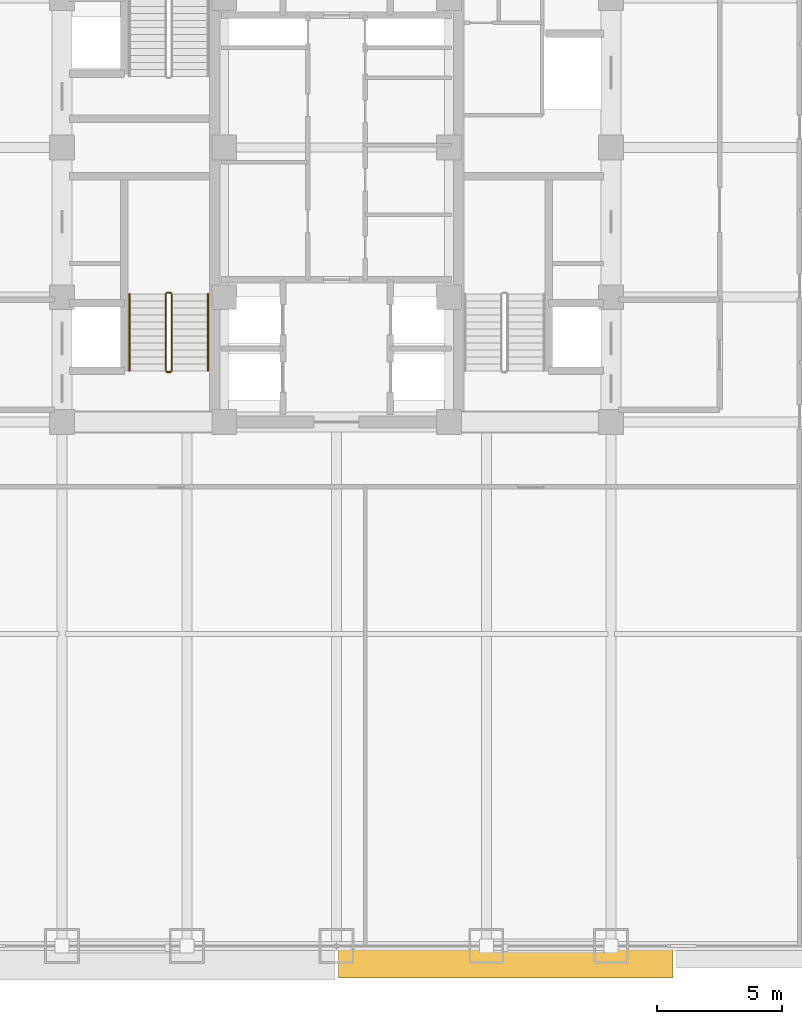
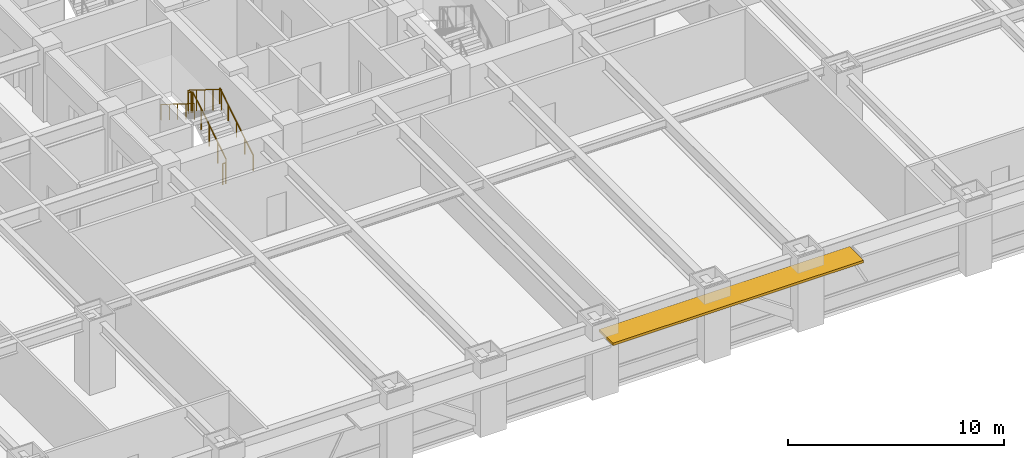
# One storey, part 29 of 32: 6 railings, 1 shading device.
"""IFC4 building model written with IfcOpenShell, lengths in metres."""

from ifc_helpers import new_model, si_unit, direction, frame, origin, origin_2d, place, context, subcontext, project, spatial, rectangle, circle, extrude, source, transform, mapped, material, layer, layer_set, type_object, element, save


model = new_model("IFC4")

# Units and contexts
model_context = context("Model", 3, precision=1e-05, world=origin(), true_north=direction((0.0, 1.0)))
body_context = subcontext(model_context, "Body", "Model", "MODEL_VIEW")
ifc_project = project(units=[si_unit("LENGTHUNIT", "METRE"), si_unit("AREAUNIT", "SQUARE_METRE"), si_unit("VOLUMEUNIT", "CUBIC_METRE"), si_unit("PLANEANGLEUNIT", "RADIAN"), si_unit("MASSUNIT", "GRAM", prefix="KILO")], contexts=[model_context])

# Site, building, storey
site_placement = place(None, origin())
site = spatial("IfcSite", under=ifc_project, at=site_placement, CompositionType="ELEMENT")
building_placement = place(site_placement, origin())
building = spatial("IfcBuilding", under=site, at=building_placement, Name="Khorayat Bourse Tower", CompositionType="ELEMENT")
storey_placement = place(building_placement, frame((0.0, 0.0, 74.60009765625)))
storey = spatial("IfcBuildingStorey", under=building, at=storey_placement, Name="L16", CompositionType="ELEMENT", Elevation=74.60009765625)

# Shading device
ifc_material_1 = material(Name="Precast concrete C45/55", Category="concrete")
ifc_layer = layer(ifc_material_1, 0.139892578125)
ifc_layer_set = layer_set([ifc_layer], Name="Precast concrete C45/55")
shading_device_type = type_object("IfcShadingDeviceType", Name="SHD-WAVE-TRAY-B", PredefinedType="USERDEFINED", material=ifc_layer_set)
shared_shape_1 = source(origin(), body_context, "Body", "SweptSolid", [
    extrude(rectangle(XDim=13.409912109375, YDim=1.295166015625, at=origin_2d()), origin(), (0.0, 0.0, 1.0), 0.139892578125),
])
shading_device_placement = place(storey_placement, frame((6.77490234375, -32.62744140625, 3.18994140625), z_axis=(0.0, 0.0, 1.0), x_axis=(1.0, 0.0, 0.0)))
element("IfcShadingDevice", 1, at=shading_device_placement, inside=storey, type_object=shading_device_type, Name="L16 Sinusoidal Wave Sunshade Tray S-3", ObjectType="SUNSHADE", PredefinedType="USERDEFINED", context=body_context, shape_type="MappedRepresentation", body=[
    mapped(shared_shape_1, transform((0.0, 0.0, 0.0), scale=1.0)),
])

# Railings
ifc_material_2 = material(Name="Powder-coated steel balustrade", Category="steel")
railing_type_1 = type_object("IfcRailingType", Name="RLG-GUARD-1200", PredefinedType="GUARDRAIL", material=ifc_material_2)
shared_shape_2 = source(origin(), body_context, "Body", "SweptSolid", [
    extrude(circle(Radius=0.02392578125, at=origin_2d()), frame((0.0, 0.0, 1.17578125), z_axis=(-1.0, 0.0, 0.0), x_axis=(0.0, -1.0, 0.0)), (0.0, 0.0, 1.0), 0.150146484375),
    extrude(circle(Radius=0.02099609375, at=origin_2d()), origin(), (0.0, 0.0, 1.0), 1.15185546875),
    extrude(circle(Radius=0.02099609375, at=origin_2d()), frame((-0.150146484375, 0.0, 0.0)), (0.0, 0.0, 1.0), 1.15185546875),
])
for number, where, name in (
    (2, (-6.64990234375, -5.820068359375, 2.099853515625), "L16 ST-1 stair guard 2"),
    (3, (-6.64990234375, -9.0, 0.0), "L16 ST-1 stair guard 4"),
):
    element("IfcRailing", number, at=place(storey_placement, frame(where)), inside=storey, type_object=railing_type_1, Name=name, PredefinedType="GUARDRAIL", context=body_context, shape_type="MappedRepresentation", body=[
        mapped(shared_shape_2, transform((0.0, 0.0, 0.0), scale=1.0)),
    ])
shared_shape_3 = source(origin(), body_context, "Body", "SweptSolid", [
    extrude(circle(Radius=0.02392578125, at=origin_2d()), frame((0.0, 0.0, 1.17578125), z_axis=(0.0, 0.847979421464, 0.530029150871), x_axis=(-1.0, 0.0, 0.0)), (0.0, 0.0, 1.0), 3.632080078125),
    extrude(circle(Radius=0.02099609375, at=origin_2d()), origin(), (0.0, 0.0, 1.0), 1.15185546875),
    extrude(circle(Radius=0.02099609375, at=origin_2d()), frame((0.0, 0.77001953125, 0.481201171875)), (0.0, 0.0, 1.0), 1.15185546875),
    extrude(circle(Radius=0.02099609375, at=origin_2d()), frame((0.0, 1.5400390625, 0.96240234375)), (0.0, 0.0, 1.0), 1.15185546875),
    extrude(circle(Radius=0.02099609375, at=origin_2d()), frame((0.0, 2.309814453125, 1.44384765625)), (0.0, 0.0, 1.0), 1.15185546875),
    extrude(circle(Radius=0.02099609375, at=origin_2d()), frame((0.0, 3.079833984375, 1.925048828125)), (0.0, 0.0, 1.0), 1.15185546875),
])
railing_1_placement = place(storey_placement, frame((-6.60009765625, -8.949951171875, 0.1748046875)))
element("IfcRailing", 4, at=railing_1_placement, inside=storey, type_object=railing_type_1, Name="L16 ST-1 stair guard 1", PredefinedType="GUARDRAIL", context=body_context, shape_type="MappedRepresentation", body=[
    mapped(shared_shape_3, transform((0.0, 0.0, 0.0), scale=1.0)),
])
shared_shape_4 = source(origin(), body_context, "Body", "SweptSolid", [
    extrude(circle(Radius=0.02392578125, at=origin_2d()), frame((0.0, 0.0, 1.17578125), z_axis=(0.0, -0.847979421464, 0.530029150871), x_axis=(1.0, 0.0, 0.0)), (0.0, 0.0, 1.0), 3.632080078125),
    extrude(circle(Radius=0.02099609375, at=origin_2d()), origin(), (0.0, 0.0, 1.0), 1.15185546875),
    extrude(circle(Radius=0.02099609375, at=origin_2d()), frame((0.0, -0.77001953125, 0.481201171875)), (0.0, 0.0, 1.0), 1.15185546875),
    extrude(circle(Radius=0.02099609375, at=origin_2d()), frame((0.0, -1.5400390625, 0.96240234375)), (0.0, 0.0, 1.0), 1.15185546875),
    extrude(circle(Radius=0.02099609375, at=origin_2d()), frame((0.0, -2.309814453125, 1.44384765625)), (0.0, 0.0, 1.0), 1.15185546875),
    extrude(circle(Radius=0.02099609375, at=origin_2d()), frame((0.0, -3.079833984375, 1.925048828125)), (0.0, 0.0, 1.0), 1.15185546875),
])
railing_2_placement = place(storey_placement, frame((-6.85009765625, -5.8701171875, 2.27490234375)))
element("IfcRailing", 5, at=railing_2_placement, inside=storey, type_object=railing_type_1, Name="L16 ST-1 stair guard 3", PredefinedType="GUARDRAIL", context=body_context, shape_type="MappedRepresentation", body=[
    mapped(shared_shape_4, transform((0.0, 0.0, 0.0), scale=1.0)),
])
ifc_material_3 = material(Name="Brushed bronze stainless-steel handrail", Category="steel")
railing_type_2 = type_object("IfcRailingType", Name="RLG-HAND-900", PredefinedType="HANDRAIL", material=ifc_material_3)
shared_shape_5 = source(origin(), body_context, "Body", "SweptSolid", [
    extrude(circle(Radius=0.02392578125, at=origin_2d()), frame((0.0, 0.0, 0.8759765625), z_axis=(0.0, 0.847979421464, 0.530029150871), x_axis=(-1.0, 0.0, 0.0)), (0.0, 0.0, 1.0), 3.632080078125),
    extrude(circle(Radius=0.02099609375, at=origin_2d()), origin(), (0.0, 0.0, 1.0), 0.851806640625),
    extrude(circle(Radius=0.02099609375, at=origin_2d()), frame((0.0, 0.77001953125, 0.481201171875)), (0.0, 0.0, 1.0), 0.851806640625),
    extrude(circle(Radius=0.02099609375, at=origin_2d()), frame((0.0, 1.5400390625, 0.96240234375)), (0.0, 0.0, 1.0), 0.851806640625),
    extrude(circle(Radius=0.02099609375, at=origin_2d()), frame((0.0, 2.309814453125, 1.44384765625)), (0.0, 0.0, 1.0), 0.851806640625),
    extrude(circle(Radius=0.02099609375, at=origin_2d()), frame((0.0, 3.079833984375, 1.925048828125)), (0.0, 0.0, 1.0), 0.851806640625),
])
railing_3_placement = place(storey_placement, frame((-5.14990234375, -8.949951171875, 0.1748046875)))
element("IfcRailing", 6, at=railing_3_placement, inside=storey, type_object=railing_type_2, Name="L16 ST-1 stair handrail 1", PredefinedType="HANDRAIL", context=body_context, shape_type="MappedRepresentation", body=[
    mapped(shared_shape_5, transform((0.0, 0.0, 0.0), scale=1.0)),
])
shared_shape_6 = source(origin(), body_context, "Body", "SweptSolid", [
    extrude(circle(Radius=0.02392578125, at=origin_2d()), frame((0.0, 0.0, 0.8759765625), z_axis=(0.0, -0.847979421464, 0.530029150871), x_axis=(1.0, 0.0, 0.0)), (0.0, 0.0, 1.0), 3.632080078125),
    extrude(circle(Radius=0.02099609375, at=origin_2d()), origin(), (0.0, 0.0, 1.0), 0.851806640625),
    extrude(circle(Radius=0.02099609375, at=origin_2d()), frame((0.0, -0.77001953125, 0.481201171875)), (0.0, 0.0, 1.0), 0.851806640625),
    extrude(circle(Radius=0.02099609375, at=origin_2d()), frame((0.0, -1.5400390625, 0.96240234375)), (0.0, 0.0, 1.0), 0.851806640625),
    extrude(circle(Radius=0.02099609375, at=origin_2d()), frame((0.0, -2.309814453125, 1.44384765625)), (0.0, 0.0, 1.0), 0.851806640625),
    extrude(circle(Radius=0.02099609375, at=origin_2d()), frame((0.0, -3.079833984375, 1.925048828125)), (0.0, 0.0, 1.0), 0.851806640625),
])
railing_4_placement = place(storey_placement, frame((-8.300048828125, -5.8701171875, 2.27490234375)))
element("IfcRailing", 7, at=railing_4_placement, inside=storey, type_object=railing_type_2, Name="L16 ST-1 stair handrail 2", PredefinedType="HANDRAIL", context=body_context, shape_type="MappedRepresentation", body=[
    mapped(shared_shape_6, transform((0.0, 0.0, 0.0), scale=1.0)),
])

save(model, "model.ifc")
